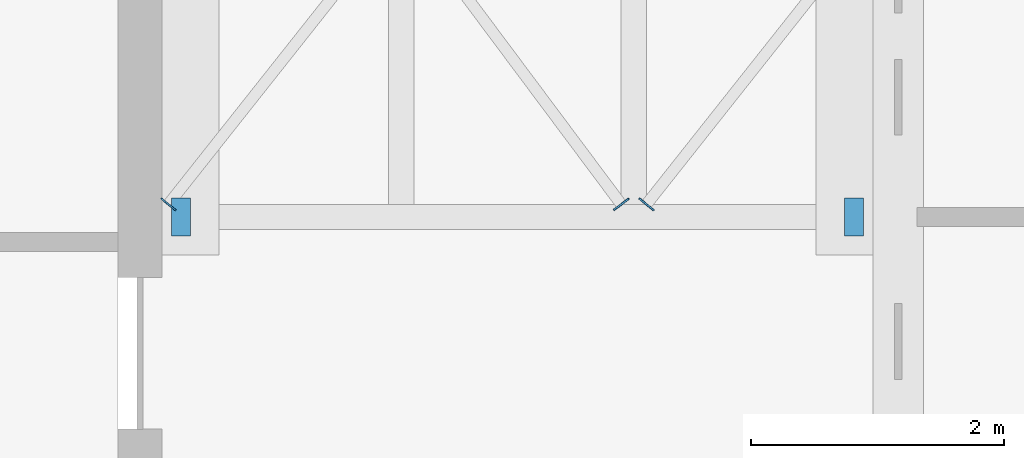
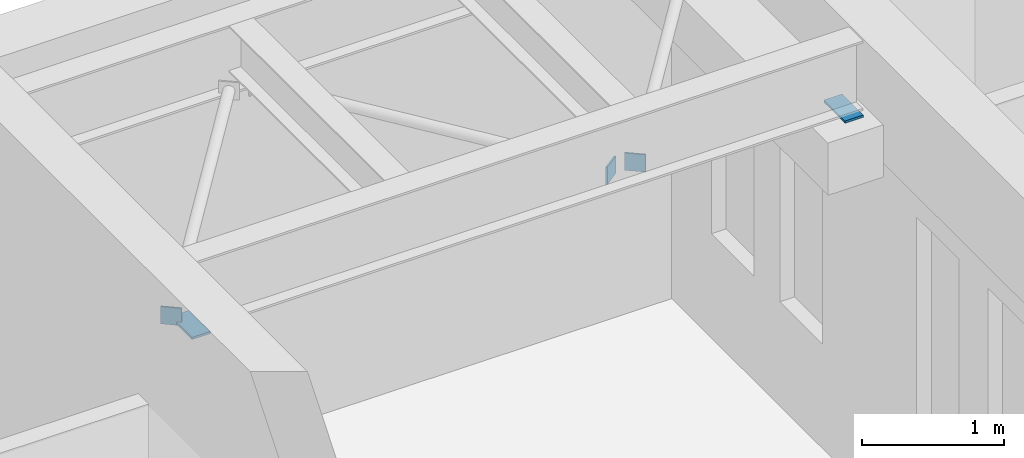
# One storey, part 83 of 103: 5 discrete accessories.
"""IFC4 building model written with IfcOpenShell, lengths in metres."""

from ifc_helpers import new_model, si_unit, direction, frame, origin, origin_2d, place, context, subcontext, project, spatial, rectangle, extrude, material, material_profile, profile_set, type_object, element, save


model = new_model("IFC4")

# Units and contexts
model_context = context("Model", 3, precision=1e-05, world=origin(), true_north=direction((0.0, 1.0)))
body_context = subcontext(model_context, "Body", "Model", "MODEL_VIEW")
ifc_project = project(units=[si_unit("LENGTHUNIT", "METRE"), si_unit("AREAUNIT", "SQUARE_METRE"), si_unit("VOLUMEUNIT", "CUBIC_METRE"), si_unit("PLANEANGLEUNIT", "RADIAN"), si_unit("MASSUNIT", "GRAM", prefix="KILO")], contexts=[model_context])

# Site, building, storey
site_placement = place(None, origin())
site = spatial("IfcSite", under=ifc_project, at=site_placement, CompositionType="ELEMENT")
building_placement = place(site_placement, origin())
building = spatial("IfcBuilding", under=site, at=building_placement, Name="Laocheng Heights Fire and Rescue Headquarters", CompositionType="ELEMENT")
storey_placement = place(building_placement, frame((0.0, 0.0, 4.199951171875)))
storey = spatial("IfcBuildingStorey", under=building, at=storey_placement, Name="L01", CompositionType="ELEMENT", Elevation=4.199951171875)

# Discrete accessories
ifc_material_1 = material(Name="Steel Q355B, dark grey painted", Category="steel")
ifc_material_profile_1 = material_profile(ifc_material_1, rectangle(XDim=0.14990234375, YDim=0.14990234375, at=origin_2d()), Name="GUSSET PLATE 150 x 150 x 12 FOR STEEL BRIDGE PLAN BRACE CHS 88.9x5")
ifc_profile_set_1 = profile_set([ifc_material_profile_1], Name="Steel Q355B, dark grey painted")
discrete_accessory_type_1 = type_object("IfcDiscreteAccessoryType", Name="GUSSET PLATE 150 x 150 x 12 FOR STEEL BRIDGE PLAN BRACE CHS 88.9x5", PredefinedType="BRACKET", material=ifc_profile_set_1)
discrete_accessory_1_placement = place(storey_placement, frame((30.22119140625, 54.6953125, 3.4443359375), z_axis=(0.632126727472, 0.774865020772, 0.0), x_axis=(-0.774865020772, 0.632126727472, 0.0)))
element("IfcDiscreteAccessory", 1, at=discrete_accessory_1_placement, inside=storey, type_object=discrete_accessory_type_1, Name="End plate at M2-Q end 1", PredefinedType="BRACKET", context=body_context, shape_type="SweptSolid", body=[
    extrude(rectangle(XDim=0.14990234375, YDim=0.14990234375, at=origin_2d()), origin(), (0.0, 0.0, 1.0), 0.011962890625),
])
ifc_material_2 = material(Name="Steel Q355B, dark grey painted", Category="steel")
ifc_material_profile_2 = material_profile(ifc_material_2, rectangle(XDim=0.14990234375, YDim=0.14990234375, at=origin_2d()), Name="GUSSET PLATE 150 x 150 x 13 FOR STEEL BRIDGE PLAN BRACE CHS 88.9x5")
ifc_profile_set_2 = profile_set([ifc_material_profile_2], Name="Steel Q355B, dark grey painted")
discrete_accessory_type_2 = type_object("IfcDiscreteAccessoryType", Name="GUSSET PLATE 150 x 150 x 13 FOR STEEL BRIDGE PLAN BRACE CHS 88.9x5", PredefinedType="BRACKET", material=ifc_profile_set_2)
discrete_accessory_2_placement = place(storey_placement, frame((33.8046875, 54.704833984375, 3.4443359375), z_axis=(0.59701076932, -0.802233221274, 0.0), x_axis=(0.802233221274, 0.59701076932, 0.0)))
element("IfcDiscreteAccessory", 2, at=discrete_accessory_2_placement, inside=storey, type_object=discrete_accessory_type_2, Name="End plate at M2-Q end 2", PredefinedType="BRACKET", context=body_context, shape_type="SweptSolid", body=[
    extrude(rectangle(XDim=0.14990234375, YDim=0.14990234375, at=origin_2d()), origin(), (0.0, 0.0, 1.0), 0.01318359375),
])
discrete_accessory_3_placement = place(storey_placement, frame((34.00390625, 54.694580078125, 3.4443359375), z_axis=(0.627009405212, 0.779011685263, 0.0), x_axis=(-0.779011685263, 0.627009405212, 0.0)))
element("IfcDiscreteAccessory", 3, at=discrete_accessory_3_placement, inside=storey, type_object=discrete_accessory_type_2, Name="End plate at M2-Q end 1", PredefinedType="BRACKET", context=body_context, shape_type="SweptSolid", body=[
    extrude(rectangle(XDim=0.14990234375, YDim=0.14990234375, at=origin_2d()), origin(), (0.0, 0.0, 1.0), 0.012939453125),
])
ifc_material_3 = material(Name="PTFE on stainless steel plate", Category="steel")
discrete_accessory_type_3 = type_object("IfcDiscreteAccessoryType", Name="SLIDING BEARING PAD 150 x 300 x 20", PredefinedType="SHOE", material=ifc_material_3)
for number, where, z_axis, x_axis, name in (
    (4, (30.324951171875, 54.60009765625, 3.380126953125), (0.0, 0.0, 1.0), (1.0, 0.0, 0.0), "Sliding bearing pad B2"),
    (5, (35.64990234375, 54.60009765625, 3.380126953125), (0.0, 0.0, 1.0), (1.0, 0.0, 0.0), "Sliding bearing pad B2"),
):
    element("IfcDiscreteAccessory", number, at=place(storey_placement, frame(where, z_axis=z_axis, x_axis=x_axis)), inside=storey, type_object=discrete_accessory_type_3, Name=name, PredefinedType="SHOE", context=body_context, shape_type="SweptSolid", body=[
        extrude(rectangle(XDim=0.14990234375, YDim=0.300048828125, at=origin_2d()), origin(), (0.0, 0.0, 1.0), 0.02001953125),
    ])

save(model, "model.ifc")
